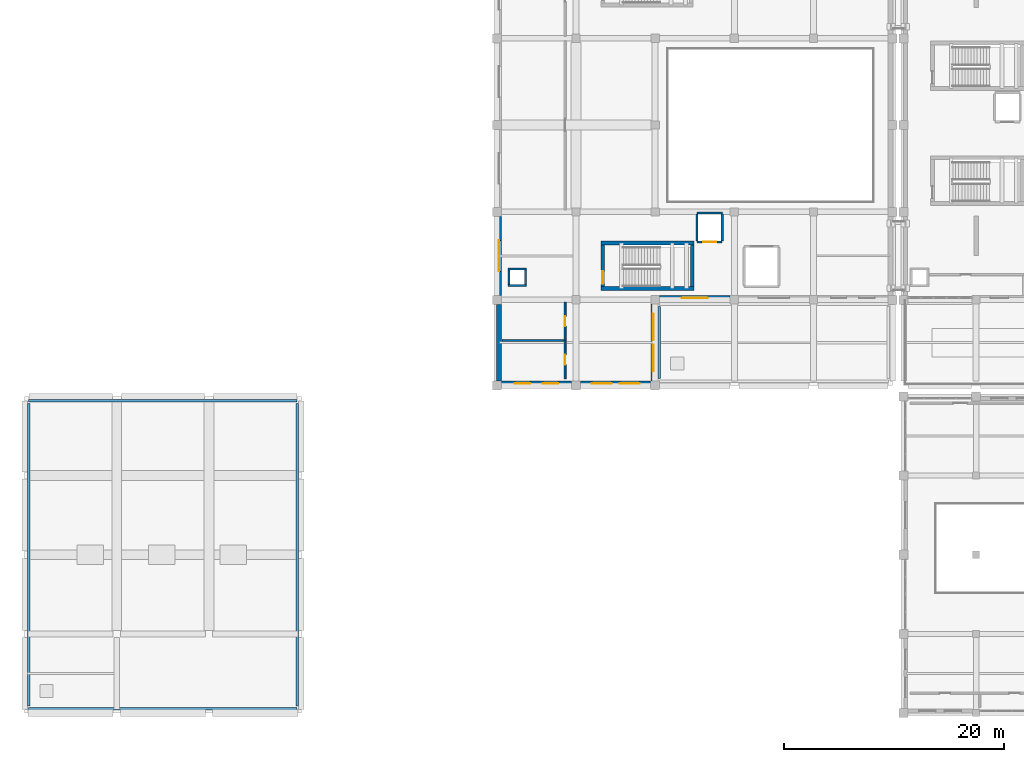
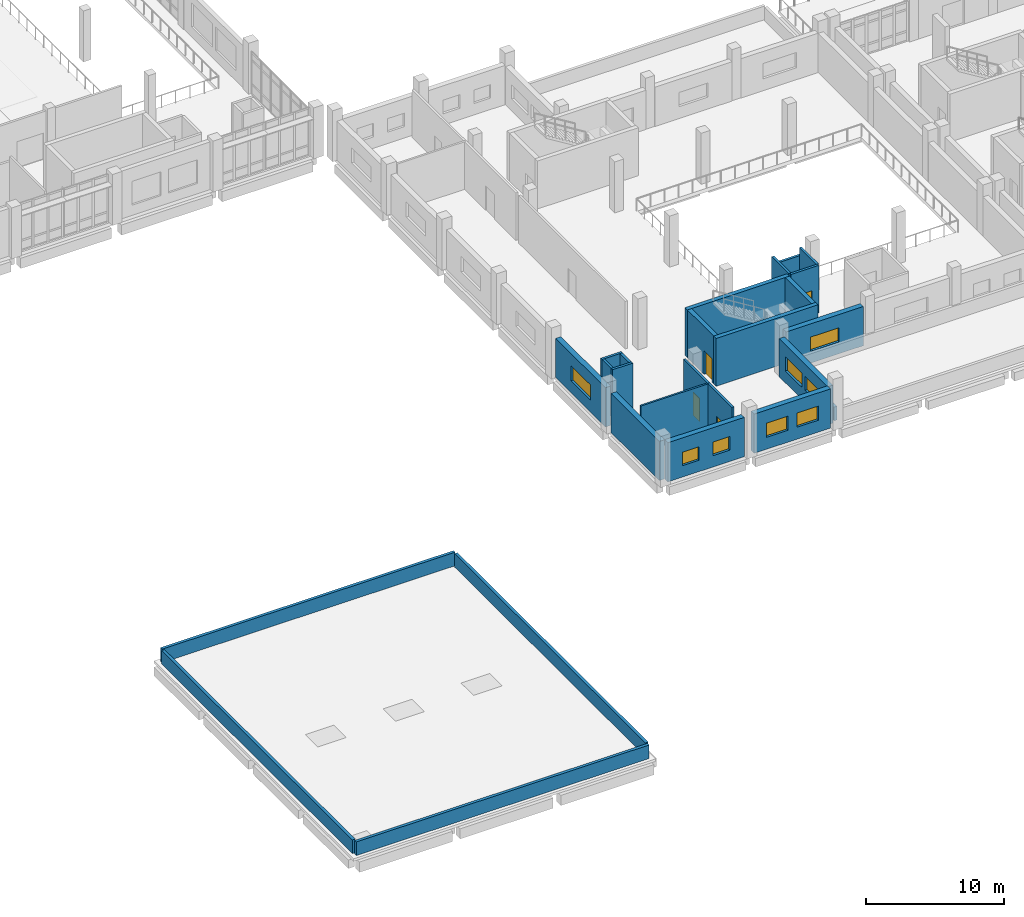
# One storey, part 36 of 54: 26 walls, 8 windows, 4 doors, 12 openings.
"""IFC4 building model written with IfcOpenShell, lengths in metres."""

from ifc_helpers import new_model, si_unit, direction, frame, frame_2d, origin, place, context, subcontext, project, spatial, rectangle, extrude, material, layer, layer_set, type_object, element, fill, save


model = new_model("IFC4")

# Units and contexts
model_context = context("Model", 3, precision=1e-05, world=origin(), true_north=direction((0.0, 1.0)))
body_context = subcontext(model_context, "Body", "Model", "MODEL_VIEW")
ifc_project = project(units=[si_unit("LENGTHUNIT", "METRE"), si_unit("AREAUNIT", "SQUARE_METRE"), si_unit("VOLUMEUNIT", "CUBIC_METRE"), si_unit("PLANEANGLEUNIT", "RADIAN"), si_unit("MASSUNIT", "GRAM", prefix="KILO")], contexts=[model_context])

# Site, building, storey
site_placement = place(None, origin())
site = spatial("IfcSite", under=ifc_project, at=site_placement, CompositionType="ELEMENT")
building_placement = place(site_placement, origin())
building = spatial("IfcBuilding", under=site, at=building_placement, Name="Kelarvand Opera House", CompositionType="ELEMENT")
storey_placement = place(building_placement, frame((0.0, 0.0, 15.0)))
storey = spatial("IfcBuildingStorey", under=building, at=storey_placement, Name="L03", CompositionType="ELEMENT", Elevation=15.0)

# Walls
ifc_material_1 = material(Name="Acoustic double-stud gypsum partition")
ifc_layer_1 = layer(ifc_material_1, 0.14990234375, Name="Acoustic double-stud gypsum partition")
ifc_layer_set_1 = layer_set([ifc_layer_1], Name="Acoustic double-stud gypsum partition")
wall_type_1 = type_object("IfcWallType", Name="Acoustic Room Partition Wall 150", PredefinedType="PARTITIONING", material=ifc_layer_set_1)
wall_1_placement = place(storey_placement, frame((52.5, 42.89990234375, 0.0), z_axis=(0.0, 0.0, 1.0), x_axis=(1.0, 0.0, 0.0)))
element("IfcWall", 1, at=wall_1_placement, inside=storey, type_object=wall_type_1, Name="V2 L03 Partition Wall IW-150 (582)", PredefinedType="PARTITIONING", context=body_context, shape_type="SweptSolid", body=[
    extrude(rectangle(XDim=5.699951171875, YDim=0.14990234375, at=frame_2d((2.85009765625, 0.0))), origin(), (0.0, 0.0, 1.0), 4.19189453125),
])
ifc_material_2 = material(Name="Concrete C35/45", Category="concrete")
ifc_layer_2 = layer(ifc_material_2, 0.239990234375, Name="Concrete C35/45", Category="concrete")
ifc_layer_set_2 = layer_set([ifc_layer_2], Name="Concrete C35/45")
wall_type_2 = type_object("IfcWallType", Name="Capped Travertine Roof Parapet 240", PredefinedType="PARAPET", material=ifc_layer_set_2)
wall_2_placement = place(storey_placement, frame((66.780029296875, 45.97998046875, 0.0), z_axis=(0.0, 0.0, 1.0), x_axis=(0.0, -1.0, 0.0)))
element("IfcWall", 2, at=wall_2_placement, inside=storey, type_object=wall_type_2, Name="V2 Roof Parapet 7", PredefinedType="PARAPET", context=body_context, shape_type="SweptSolid", body=[
    extrude(rectangle(XDim=6.56005859375, YDim=0.239990234375, at=frame_2d((3.280029296875, 0.0))), origin(), (0.0, 0.0, 1.0), 1.199951171875),
])
for number, where, z_axis, x_axis, name in (
    (3, (9.3798828125, 9.3798828125, 0.0), (0.0, 0.0, 1.0), (1.0, 0.0, 0.0), "V4 Roof Parapet 29"),
    (4, (33.820068359375, 37.419921875, 0.0), (0.0, 0.0, 1.0), (-1.0, 0.0, 0.0), "V4 Roof Parapet 30"),
):
    element("IfcWall", number, at=place(storey_placement, frame(where, z_axis=z_axis, x_axis=x_axis)), inside=storey, type_object=wall_type_2, Name=name, PredefinedType="PARAPET", context=body_context, shape_type="SweptSolid", body=[
        extrude(rectangle(XDim=24.440185546875, YDim=0.239990234375, at=frame_2d((12.22021484375, 0.0))), origin(), (0.0, 0.0, 1.0), 1.199951171875),
    ])
for number, where, z_axis, x_axis, name in (
    (5, (9.3798828125, 37.179931640625, 0.0), (0.0, 0.0, 1.0), (0.0, -1.0, 0.0), "V4 Roof Parapet 31"),
    (6, (33.820068359375, 9.6201171875, 0.0), (0.0, 0.0, 1.0), (0.0, 1.0, 0.0), "V4 Roof Parapet 32"),
):
    element("IfcWall", number, at=place(storey_placement, frame(where, z_axis=z_axis, x_axis=x_axis)), inside=storey, type_object=wall_type_2, Name=name, PredefinedType="PARAPET", context=body_context, shape_type="SweptSolid", body=[
        extrude(rectangle(XDim=27.559814453125, YDim=0.239990234375, at=frame_2d((13.77978515625, 0.0))), origin(), (0.0, 0.0, 1.0), 1.199951171875),
    ])
ifc_material_3 = material(Name="Concrete C40/50", Category="concrete")
ifc_layer_3 = layer(ifc_material_3, 0.35009765625, Name="Concrete C40/50", Category="concrete")
ifc_layer_set_3 = layer_set([ifc_layer_3], Name="Concrete C40/50")
wall_type_3 = type_object("IfcWallType", Name="Core Stair and Lift Shear Wall 350", PredefinedType="SHEAR", material=ifc_layer_set_3)
for number, where, z_axis, x_axis, name in (
    (7, (61.449951171875, 47.625, 0.0), (0.0, 0.0, 1.0), (1.0, 0.0, 0.0), "C2 Stair Core Shear Wall S L03"),
    (8, (69.949951171875, 51.77490234375, 0.0), (0.0, 0.0, 1.0), (-1.0, 0.0, 0.0), "C2 Stair Core Shear Wall N L03"),
):
    element("IfcWall", number, at=place(storey_placement, frame(where, z_axis=z_axis, x_axis=x_axis)), inside=storey, type_object=wall_type_3, Name=name, PredefinedType="SHEAR", context=body_context, shape_type="SweptSolid", body=[
        extrude(rectangle(XDim=8.5, YDim=0.35009765625, at=frame_2d((4.25, 0.0))), origin(), (0.0, 0.0, 1.0), 4.219970703125),
    ])

# Wall, opening, door
wall_3_placement = place(storey_placement, frame((61.625, 47.800048828125, 0.0), z_axis=(0.0, 0.0, 1.0), x_axis=(0.0, 1.0, 0.0)))
wall_3 = element("IfcWall", 9, at=wall_3_placement, inside=storey, type_object=wall_type_3, Name="C2 Stair Core Shear Wall W L03", PredefinedType="SHEAR", context=body_context, shape_type="SweptSolid", body=[
    extrude(rectangle(XDim=3.800048828125, YDim=0.35009765625, at=frame_2d((1.89990234375, 0.0))), origin(), (0.0, 0.0, 1.0), 4.219970703125),
])
opening_1_placement = place(wall_3_placement, frame((0.280029296875, 0.0, 0.0)))
opening_1 = element("IfcOpeningElement", 10, at=opening_1_placement, cuts=wall_3, Name="Opening FD-01", PredefinedType="OPENING", context=body_context, shape_type="SweptSolid", body=[
    extrude(rectangle(XDim=1.10009765625, YDim=2.080078125, at=frame_2d((0.550048828125, 1.0400390625))), frame((0.0, 0.18505859375, 0.0), z_axis=(0.0, -1.0, 0.0), x_axis=(1.0, 0.0, 0.0)), (0.0, 0.0, 1.0), 0.3701171875),
])
ifc_material_4 = material(Name="Fire-rated brushed stainless steel", Category="steel")
door_type_1 = type_object("IfcDoorType", Name="Steel Fire-Rated Stair and FF Lobby Door 1100x2080", OperationType="NOTDEFINED", PredefinedType="DOOR", material=ifc_material_4)
door_1_placement = place(opening_1_placement, origin())
door_1 = element("IfcDoor", 11, at=door_1_placement, inside=storey, type_object=door_type_1, Name="C2 Stair ST-02 Fire Door L03", OperationType="SINGLE_SWING_RIGHT", OverallHeight=2.080078125, OverallWidth=1.10009765625, PredefinedType="DOOR", context=body_context, shape_type="SweptSolid", body=[
    extrude(rectangle(XDim=1.10009765625, YDim=2.080078125, at=frame_2d((0.550048828125, 1.0400390625))), frame((0.0, 0.02490234375, 0.0), z_axis=(0.0, -1.0, 0.0), x_axis=(1.0, 0.0, 0.0)), (0.0, 0.0, 1.0), 0.050048828125),
])
fill(opening_1, door_1)

# Wall
wall_4_placement = place(storey_placement, frame((69.77490234375, 51.60009765625, 0.0), z_axis=(0.0, 0.0, 1.0), x_axis=(0.0, -1.0, 0.0)))
element("IfcWall", 12, at=wall_4_placement, inside=storey, type_object=wall_type_3, Name="C2 Stair Core Shear Wall E L03", PredefinedType="SHEAR", context=body_context, shape_type="SweptSolid", body=[
    extrude(rectangle(XDim=3.800048828125, YDim=0.35009765625, at=frame_2d((1.89990234375, 0.0))), origin(), (0.0, 0.0, 1.0), 4.219970703125),
])

# Wall, opening, door
ifc_layer_4 = layer(ifc_material_2, 0.179931640625, Name="Concrete C35/45", Category="concrete")
ifc_layer_set_4 = layer_set([ifc_layer_4], Name="Concrete C35/45")
wall_type_4 = type_object("IfcWallType", Name="Corridor Fire-Rated Partition Wall 180 EI90", PredefinedType="PARTITIONING", material=ifc_layer_set_4)
wall_5_placement = place(storey_placement, frame((58.199951171875, 39.39990234375, 0.0), z_axis=(0.0, 0.0, 1.0), x_axis=(0.0, 1.0, 0.0)))
wall_5 = element("IfcWall", 13, at=wall_5_placement, inside=storey, type_object=wall_type_4, Name="V2 L03 Partition Wall IW-90 (581)", PredefinedType="PARTITIONING", context=body_context, shape_type="SweptSolid", body=[
    extrude(rectangle(XDim=3.5, YDim=0.179931640625, at=frame_2d((1.75, 0.0))), origin(), (0.0, 0.0, 1.0), 4.19189453125),
])
opening_2_placement = place(wall_5_placement, frame((1.2900390625, 0.0, 0.0)))
opening_2 = element("IfcOpeningElement", 14, at=opening_2_placement, cuts=wall_5, Name="Opening D-01", PredefinedType="OPENING", context=body_context, shape_type="SweptSolid", body=[
    extrude(rectangle(XDim=0.919921875, YDim=2.050048828125, at=frame_2d((0.4599609375, 1.02490234375))), frame((0.0, 0.10009765625, 0.0), z_axis=(0.0, -1.0, 0.0), x_axis=(1.0, 0.0, 0.0)), (0.0, 0.0, 1.0), 0.199951171875),
])
ifc_material_5 = material(Name="Acoustic walnut-veneered hardwood", Category="wood")
door_type_2 = type_object("IfcDoorType", Name="Solid Timber Dressing and WC Door 920x2050", OperationType="NOTDEFINED", PredefinedType="DOOR", material=ifc_material_5)
door_2_placement = place(opening_2_placement, origin())
door_2 = element("IfcDoor", 15, at=door_2_placement, inside=storey, type_object=door_type_2, Name="V2 L03 Door D-01 (260)", OperationType="SINGLE_SWING_RIGHT", OverallHeight=2.050048828125, OverallWidth=0.919921875, PredefinedType="DOOR", context=body_context, shape_type="SweptSolid", body=[
    extrude(rectangle(XDim=0.919921875, YDim=2.050048828125, at=frame_2d((0.4599609375, 1.02490234375))), frame((0.0, 0.02490234375, 0.0), z_axis=(0.0, -1.0, 0.0), x_axis=(1.0, 0.0, 0.0)), (0.0, 0.0, 1.0), 0.050048828125),
])
fill(opening_2, door_2)

wall_6_placement = place(storey_placement, frame((58.199951171875, 42.89990234375, 0.0), z_axis=(0.0, 0.0, 1.0), x_axis=(0.0, 1.0, 0.0)))
wall_6 = element("IfcWall", 16, at=wall_6_placement, inside=storey, type_object=wall_type_4, Name="V2 L03 Partition Wall IW-90 (583)", PredefinedType="PARTITIONING", context=body_context, shape_type="SweptSolid", body=[
    extrude(rectangle(XDim=3.5, YDim=0.179931640625, at=frame_2d((1.75, 0.0))), origin(), (0.0, 0.0, 1.0), 4.19189453125),
])
opening_3_placement = place(wall_6_placement, frame((1.2900390625, 0.0, 0.0)))
opening_3 = element("IfcOpeningElement", 17, at=opening_3_placement, cuts=wall_6, Name="Opening D-01", PredefinedType="OPENING", context=body_context, shape_type="SweptSolid", body=[
    extrude(rectangle(XDim=0.919921875, YDim=2.050048828125, at=frame_2d((0.4599609375, 1.02490234375))), frame((0.0, 0.10009765625, 0.0), z_axis=(0.0, -1.0, 0.0), x_axis=(1.0, 0.0, 0.0)), (0.0, 0.0, 1.0), 0.199951171875),
])
door_3_placement = place(opening_3_placement, origin())
door_3 = element("IfcDoor", 18, at=door_3_placement, inside=storey, type_object=door_type_2, Name="V2 L03 Door D-01 (261)", OperationType="SINGLE_SWING_LEFT", OverallHeight=2.050048828125, OverallWidth=0.919921875, PredefinedType="DOOR", context=body_context, shape_type="SweptSolid", body=[
    extrude(rectangle(XDim=0.919921875, YDim=2.050048828125, at=frame_2d((0.4599609375, 1.02490234375))), frame((0.0, 0.02490234375, 0.0), z_axis=(0.0, -1.0, 0.0), x_axis=(1.0, 0.0, 0.0)), (0.0, 0.0, 1.0), 0.050048828125),
])
fill(opening_3, door_3)

# Walls
ifc_layer_5 = layer(ifc_material_2, 0.199951171875, Name="Concrete C35/45", Category="concrete")
ifc_layer_set_5 = layer_set([ifc_layer_5], Name="Concrete C35/45")
wall_type_5 = type_object("IfcWallType", Name="Lift and Riser Shaft Enclosure Wall 200 EI120", PredefinedType="PARTITIONING", material=ifc_layer_set_5)
for number, where, z_axis, x_axis, name in (
    (19, (53.0, 47.89990234375, 0.0), (0.0, 0.0, 1.0), (1.0, 0.0, 0.0), "RSR-V2 L03 Riser Shaft Wall 49"),
    (20, (54.699951171875, 49.39990234375, 0.0), (0.0, 0.0, 1.0), (-1.0, 0.0, 0.0), "RSR-V2 L03 Riser Shaft Wall 50"),
):
    element("IfcWall", number, at=place(storey_placement, frame(where, z_axis=z_axis, x_axis=x_axis)), inside=storey, type_object=wall_type_5, Name=name, PredefinedType="PARTITIONING", context=body_context, shape_type="SweptSolid", body=[
        extrude(rectangle(XDim=1.699951171875, YDim=0.199951171875, at=frame_2d((0.85009765625, 0.0))), origin(), (0.0, 0.0, 1.0), 4.199951171875),
    ])
for number, where, z_axis, x_axis, name in (
    (21, (53.10009765625, 48.0, 0.0), (0.0, 0.0, 1.0), (0.0, 1.0, 0.0), "RSR-V2 L03 Riser Shaft Wall 51"),
    (22, (54.60009765625, 49.300048828125, 0.0), (0.0, 0.0, 1.0), (0.0, -1.0, 0.0), "RSR-V2 L03 Riser Shaft Wall 52"),
):
    element("IfcWall", number, at=place(storey_placement, frame(where, z_axis=z_axis, x_axis=x_axis)), inside=storey, type_object=wall_type_5, Name=name, PredefinedType="PARTITIONING", context=body_context, shape_type="SweptSolid", body=[
        extrude(rectangle(XDim=1.300048828125, YDim=0.199951171875, at=frame_2d((0.64990234375, 0.0))), origin(), (0.0, 0.0, 1.0), 4.199951171875),
    ])

# Wall, opening, door
wall_7_placement = place(storey_placement, frame((70.199951171875, 51.85009765625, 0.0), z_axis=(0.0, 0.0, 1.0), x_axis=(1.0, 0.0, 0.0)))
wall_7 = element("IfcWall", 23, at=wall_7_placement, inside=storey, type_object=wall_type_5, Name="V2 L03 Partition Wall SW-200 (557)", PredefinedType="PARTITIONING", context=body_context, shape_type="SweptSolid", body=[
    extrude(rectangle(XDim=2.300048828125, YDim=0.199951171875, at=frame_2d((1.14990234375, 0.0))), origin(), (0.0, 0.0, 1.0), 4.19189453125),
])
opening_4_placement = place(wall_7_placement, frame((0.550048828125, 0.0, 0.0)))
opening_4 = element("IfcOpeningElement", 24, at=opening_4_placement, cuts=wall_7, Name="Opening LD-02", PredefinedType="OPENING", context=body_context, shape_type="SweptSolid", body=[
    extrude(rectangle(XDim=1.199951171875, YDim=2.14990234375, at=frame_2d((0.60009765625, 1.074951171875))), frame((0.0, 0.10986328125, 0.0), z_axis=(0.0, -1.0, 0.0), x_axis=(1.0, 0.0, 0.0)), (0.0, 0.0, 1.0), 0.219970703125),
])
door_type_3 = type_object("IfcDoorType", Name="Firefighting Lift Sliding Landing Door 1200x2150", OperationType="SLIDING_TO_LEFT", PredefinedType="DOOR", material=ifc_material_4)
door_4_placement = place(opening_4_placement, origin())
door_4 = element("IfcDoor", 25, at=door_4_placement, inside=storey, type_object=door_type_3, Name="V2 L03 Door LD-02 (250)", OperationType="SLIDING_TO_LEFT", OverallHeight=2.14990234375, OverallWidth=1.199951171875, PredefinedType="DOOR", context=body_context, shape_type="SweptSolid", body=[
    extrude(rectangle(XDim=1.199951171875, YDim=2.14990234375, at=frame_2d((0.60009765625, 1.074951171875))), frame((0.0, 0.02490234375, 0.0), z_axis=(0.0, -1.0, 0.0), x_axis=(1.0, 0.0, 0.0)), (0.0, 0.0, 1.0), 0.050048828125),
])
fill(opening_4, door_4)

# Walls
wall_8_placement = place(storey_placement, frame((72.5, 54.5, 0.0), z_axis=(0.0, 0.0, 1.0), x_axis=(-1.0, 0.0, 0.0)))
element("IfcWall", 26, at=wall_8_placement, inside=storey, type_object=wall_type_5, Name="V2 L03 Partition Wall SW-200 (558)", PredefinedType="PARTITIONING", context=body_context, shape_type="SweptSolid", body=[
    extrude(rectangle(XDim=2.300048828125, YDim=0.199951171875, at=frame_2d((1.14990234375, 0.0))), origin(), (0.0, 0.0, 1.0), 3.4619140625),
])
for number, where, z_axis, x_axis, name in (
    (27, (70.199951171875, 51.949951171875, 0.0), (0.0, 0.0, 1.0), (0.0, 1.0, 0.0), "V2 L03 Partition Wall SW-200 (559)"),
    (28, (72.5, 54.39990234375, 0.0), (0.0, 0.0, 1.0), (0.0, -1.0, 0.0), "V2 L03 Partition Wall SW-200 (560)"),
):
    element("IfcWall", number, at=place(storey_placement, frame(where, z_axis=z_axis, x_axis=x_axis)), inside=storey, type_object=wall_type_5, Name=name, PredefinedType="PARTITIONING", context=body_context, shape_type="SweptSolid", body=[
        extrude(rectangle(XDim=2.449951171875, YDim=0.199951171875, at=frame_2d((1.22509765625, 0.0))), origin(), (0.0, 0.0, 1.0), 4.19189453125),
    ])

# Wall, openings, windows
ifc_layer_6 = layer(ifc_material_2, 0.43994140625, Name="Concrete C35/45", Category="concrete")
ifc_layer_set_6 = layer_set([ifc_layer_6], Name="Concrete C35/45")
wall_type_6 = type_object("IfcWallType", Name="Stage House Acoustic Cavity Wall 440", PredefinedType="SOLIDWALL", material=ifc_layer_set_6)
wall_9_placement = place(storey_placement, frame((65.989990234375, 38.97998046875, 0.0), z_axis=(0.0, 0.0, 1.0), x_axis=(-1.0, 0.0, 0.0)))
wall_9 = element("IfcWall", 29, at=wall_9_placement, inside=storey, type_object=wall_type_6, Name="V2 L03 Exterior Wall EW-440 (280)", PredefinedType="SOLIDWALL", context=body_context, shape_type="SweptSolid", body=[
    extrude(rectangle(XDim=6.3798828125, YDim=0.43994140625, at=frame_2d((3.18994140625, 0.0))), origin(), (0.0, 0.0, 1.0), 3.4619140625),
])
opening_5_placement = place(wall_9_placement, frame((1.013916015625, 0.0, 1.050048828125)))
opening_5 = element("IfcOpeningElement", 30, at=opening_5_placement, cuts=wall_9, Name="Opening WN-23", PredefinedType="OPENING", context=body_context, shape_type="SweptSolid", body=[
    extrude(rectangle(XDim=1.800048828125, YDim=1.25, at=frame_2d((0.89990234375, 0.625))), frame((0.0, 0.22998046875, 0.0), z_axis=(0.0, -1.0, 0.0), x_axis=(1.0, 0.0, 0.0)), (0.0, 0.0, 1.0), 0.4599609375),
])
opening_6_placement = place(wall_9_placement, frame((3.56591796875, 0.0, 1.050048828125)))
opening_6 = element("IfcOpeningElement", 31, at=opening_6_placement, cuts=wall_9, Name="Opening WN-23", PredefinedType="OPENING", context=body_context, shape_type="SweptSolid", body=[
    extrude(rectangle(XDim=1.800048828125, YDim=1.25, at=frame_2d((0.89990234375, 0.625))), frame((0.0, 0.22998046875, 0.0), z_axis=(0.0, -1.0, 0.0), x_axis=(1.0, 0.0, 0.0)), (0.0, 0.0, 1.0), 0.4599609375),
])
ifc_material_6 = material(Name="Thermally broken aluminium and low-E double glazing", Category="aluminium")
window_type_1 = type_object("IfcWindowType", Name="Recessed Aluminium Thermal Window 1800x1250 WN-23", PartitioningType="SINGLE_PANEL", PredefinedType="WINDOW", material=ifc_material_6)
window_1_placement = place(opening_5_placement, origin())
window_1 = element("IfcWindow", 32, at=window_1_placement, inside=storey, type_object=window_type_1, Name="V2 L03 Facade Window WN-23 (65)", OverallHeight=1.25, OverallWidth=1.800048828125, PartitioningType="SINGLE_PANEL", PredefinedType="WINDOW", context=body_context, shape_type="SweptSolid", body=[
    extrude(rectangle(XDim=1.800048828125, YDim=1.25, at=frame_2d((0.89990234375, 0.625))), frame((0.0, 0.030029296875, 0.0), z_axis=(0.0, -1.0, 0.0), x_axis=(1.0, 0.0, 0.0)), (0.0, 0.0, 1.0), 0.06005859375),
])
fill(opening_5, window_1)
window_2_placement = place(opening_6_placement, origin())
window_2 = element("IfcWindow", 33, at=window_2_placement, inside=storey, type_object=window_type_1, Name="V2 L03 Facade Window WN-23 (66)", OverallHeight=1.25, OverallWidth=1.800048828125, PartitioningType="SINGLE_PANEL", PredefinedType="WINDOW", context=body_context, shape_type="SweptSolid", body=[
    extrude(rectangle(XDim=1.800048828125, YDim=1.25, at=frame_2d((0.89990234375, 0.625))), frame((0.0, 0.030029296875, 0.0), z_axis=(0.0, -1.0, 0.0), x_axis=(1.0, 0.0, 0.0)), (0.0, 0.0, 1.0), 0.06005859375),
])
fill(opening_6, window_2)

wall_10_placement = place(storey_placement, frame((58.7900390625, 38.97998046875, 0.0), z_axis=(0.0, 0.0, 1.0), x_axis=(-1.0, 0.0, 0.0)))
wall_10 = element("IfcWall", 34, at=wall_10_placement, inside=storey, type_object=wall_type_6, Name="V2 L03 Exterior Wall EW-440 (281)", PredefinedType="SOLIDWALL", context=body_context, shape_type="SweptSolid", body=[
    extrude(rectangle(XDim=6.380126953125, YDim=0.43994140625, at=frame_2d((3.18994140625, 0.0))), origin(), (0.0, 0.0, 1.0), 3.4619140625),
])
opening_7_placement = place(wall_10_placement, frame((1.214111328125, 0.0, 1.0)))
opening_7 = element("IfcOpeningElement", 35, at=opening_7_placement, cuts=wall_10, Name="Opening WN-24", PredefinedType="OPENING", context=body_context, shape_type="SweptSolid", body=[
    extrude(rectangle(XDim=1.39990234375, YDim=1.199951171875, at=frame_2d((0.699951171875, 0.60009765625))), frame((0.0, 0.22998046875, 0.0), z_axis=(0.0, -1.0, 0.0), x_axis=(1.0, 0.0, 0.0)), (0.0, 0.0, 1.0), 0.4599609375),
])
opening_8_placement = place(wall_10_placement, frame((3.76611328125, 0.0, 1.0)))
opening_8 = element("IfcOpeningElement", 36, at=opening_8_placement, cuts=wall_10, Name="Opening WN-24", PredefinedType="OPENING", context=body_context, shape_type="SweptSolid", body=[
    extrude(rectangle(XDim=1.39990234375, YDim=1.199951171875, at=frame_2d((0.699951171875, 0.60009765625))), frame((0.0, 0.22998046875, 0.0), z_axis=(0.0, -1.0, 0.0), x_axis=(1.0, 0.0, 0.0)), (0.0, 0.0, 1.0), 0.4599609375),
])
window_type_2 = type_object("IfcWindowType", Name="Recessed Aluminium Thermal Window 1400x1200 WN-24", PartitioningType="SINGLE_PANEL", PredefinedType="WINDOW", material=ifc_material_6)
window_3_placement = place(opening_7_placement, origin())
window_3 = element("IfcWindow", 37, at=window_3_placement, inside=storey, type_object=window_type_2, Name="V2 L03 Facade Window WN-24 (67)", OverallHeight=1.199951171875, OverallWidth=1.39990234375, PartitioningType="SINGLE_PANEL", PredefinedType="WINDOW", context=body_context, shape_type="SweptSolid", body=[
    extrude(rectangle(XDim=1.39990234375, YDim=1.199951171875, at=frame_2d((0.699951171875, 0.60009765625))), frame((0.0, 0.030029296875, 0.0), z_axis=(0.0, -1.0, 0.0), x_axis=(1.0, 0.0, 0.0)), (0.0, 0.0, 1.0), 0.06005859375),
])
fill(opening_7, window_3)
window_4_placement = place(opening_8_placement, origin())
window_4 = element("IfcWindow", 38, at=window_4_placement, inside=storey, type_object=window_type_2, Name="V2 L03 Facade Window WN-24 (68)", OverallHeight=1.199951171875, OverallWidth=1.39990234375, PartitioningType="SINGLE_PANEL", PredefinedType="WINDOW", context=body_context, shape_type="SweptSolid", body=[
    extrude(rectangle(XDim=1.39990234375, YDim=1.199951171875, at=frame_2d((0.699951171875, 0.60009765625))), frame((0.0, 0.030029296875, 0.0), z_axis=(0.0, -1.0, 0.0), x_axis=(1.0, 0.0, 0.0)), (0.0, 0.0, 1.0), 0.06005859375),
])
fill(opening_8, window_4)

# Wall
wall_11_placement = place(storey_placement, frame((52.179931640625, 39.2099609375, 0.0), z_axis=(0.0, 0.0, 1.0), x_axis=(0.0, 1.0, 0.0)))
element("IfcWall", 39, at=wall_11_placement, inside=storey, type_object=wall_type_6, Name="V2 L03 Exterior Wall EW-440 (282)", PredefinedType="SOLIDWALL", context=body_context, shape_type="SweptSolid", body=[
    extrude(rectangle(XDim=6.97998046875, YDim=0.43994140625, at=frame_2d((3.489990234375, 0.0))), origin(), (0.0, 0.0, 1.0), 3.4619140625),
])

# Wall, opening, window
wall_12_placement = place(storey_placement, frame((52.179931640625, 47.010009765625, 0.0), z_axis=(0.0, 0.0, 1.0), x_axis=(0.0, 1.0, 0.0)))
wall_12 = element("IfcWall", 40, at=wall_12_placement, inside=storey, type_object=wall_type_6, Name="V2 L03 Exterior Wall EW-440 (283)", PredefinedType="SOLIDWALL", context=body_context, shape_type="SweptSolid", body=[
    extrude(rectangle(XDim=7.179931640625, YDim=0.43994140625, at=frame_2d((3.58984375, 0.0))), origin(), (0.0, 0.0, 1.0), 3.4619140625),
])
opening_9_placement = place(wall_12_placement, frame((2.18994140625, 0.0, 1.050048828125)))
opening_9 = element("IfcOpeningElement", 41, at=opening_9_placement, cuts=wall_12, Name="Opening WN-21", PredefinedType="OPENING", context=body_context, shape_type="SweptSolid", body=[
    extrude(rectangle(XDim=2.800048828125, YDim=1.35009765625, at=frame_2d((1.39990234375, 0.675048828125))), frame((0.0, 0.22998046875, 0.0), z_axis=(0.0, -1.0, 0.0), x_axis=(1.0, 0.0, 0.0)), (0.0, 0.0, 1.0), 0.4599609375),
])
window_type_3 = type_object("IfcWindowType", Name="Recessed Aluminium Thermal Window 2800x1350 WN-21", PartitioningType="SINGLE_PANEL", PredefinedType="WINDOW", material=ifc_material_6)
window_5_placement = place(opening_9_placement, origin())
window_5 = element("IfcWindow", 42, at=window_5_placement, inside=storey, type_object=window_type_3, Name="V2 L03 Facade Window WN-21 (69)", OverallHeight=1.35009765625, OverallWidth=2.800048828125, PartitioningType="SINGLE_PANEL", PredefinedType="WINDOW", context=body_context, shape_type="SweptSolid", body=[
    extrude(rectangle(XDim=2.800048828125, YDim=1.35009765625, at=frame_2d((1.39990234375, 0.675048828125))), frame((0.0, 0.030029296875, 0.0), z_axis=(0.0, -1.0, 0.0), x_axis=(1.0, 0.0, 0.0)), (0.0, 0.0, 1.0), 0.06005859375),
])
fill(opening_9, window_5)

wall_13_placement = place(storey_placement, frame((73.22509765625, 46.780029296875, 0.0), z_axis=(0.0, 0.0, 1.0), x_axis=(-1.0, 0.0, 0.0)))
wall_13 = element("IfcWall", 43, at=wall_13_placement, inside=storey, type_object=wall_type_6, Name="V2 L03 Exterior Wall EW-440 (300)", PredefinedType="SOLIDWALL", context=body_context, shape_type="SweptSolid", body=[
    extrude(rectangle(XDim=6.4501953125, YDim=0.43994140625, at=frame_2d((3.22509765625, 0.0))), origin(), (0.0, 0.0, 1.0), 3.4619140625),
])
opening_10_placement = place(wall_13_placement, frame((2.02490234375, 0.0, 1.050048828125)))
opening_10 = element("IfcOpeningElement", 44, at=opening_10_placement, cuts=wall_13, Name="Opening WN-22", PredefinedType="OPENING", context=body_context, shape_type="SweptSolid", body=[
    extrude(rectangle(XDim=2.39990234375, YDim=1.25, at=frame_2d((1.199951171875, 0.625))), frame((0.0, 0.22998046875, 0.0), z_axis=(0.0, -1.0, 0.0), x_axis=(1.0, 0.0, 0.0)), (0.0, 0.0, 1.0), 0.4599609375),
])
window_type_4 = type_object("IfcWindowType", Name="Recessed Aluminium Thermal Window 2400x1250 WN-22", PartitioningType="SINGLE_PANEL", PredefinedType="WINDOW", material=ifc_material_6)
window_6_placement = place(opening_10_placement, origin())
window_6 = element("IfcWindow", 45, at=window_6_placement, inside=storey, type_object=window_type_4, Name="V2 L03 Facade Window WN-22 (87)", OverallHeight=1.25, OverallWidth=2.39990234375, PartitioningType="SINGLE_PANEL", PredefinedType="WINDOW", context=body_context, shape_type="SweptSolid", body=[
    extrude(rectangle(XDim=2.39990234375, YDim=1.25, at=frame_2d((1.199951171875, 0.625))), frame((0.0, 0.030029296875, 0.0), z_axis=(0.0, -1.0, 0.0), x_axis=(1.0, 0.0, 0.0)), (0.0, 0.0, 1.0), 0.06005859375),
])
fill(opening_10, window_6)

# Wall, openings, windows
wall_14_placement = place(storey_placement, frame((66.219970703125, 46.22509765625, 0.0), z_axis=(0.0, 0.0, 1.0), x_axis=(0.0, -1.0, 0.0)))
wall_14 = element("IfcWall", 46, at=wall_14_placement, inside=storey, type_object=wall_type_6, Name="V2 L03 Exterior Wall EW-440 (301)", PredefinedType="SOLIDWALL", context=body_context, shape_type="SweptSolid", body=[
    extrude(rectangle(XDim=7.01513671875, YDim=0.43994140625, at=frame_2d((3.507568359375, 0.0))), origin(), (0.0, 0.0, 1.0), 3.362060546875),
])
opening_11_placement = place(wall_14_placement, frame((0.905029296875, 0.0, 1.050048828125)))
opening_11 = element("IfcOpeningElement", 47, at=opening_11_placement, cuts=wall_14, Name="Opening WN-22", PredefinedType="OPENING", context=body_context, shape_type="SweptSolid", body=[
    extrude(rectangle(XDim=2.39990234375, YDim=1.25, at=frame_2d((1.199951171875, 0.625))), frame((0.0, 0.22998046875, 0.0), z_axis=(0.0, -1.0, 0.0), x_axis=(1.0, 0.0, 0.0)), (0.0, 0.0, 1.0), 0.4599609375),
])
opening_12_placement = place(wall_14_placement, frame((3.7099609375, 0.0, 1.050048828125)))
opening_12 = element("IfcOpeningElement", 48, at=opening_12_placement, cuts=wall_14, Name="Opening WN-22", PredefinedType="OPENING", context=body_context, shape_type="SweptSolid", body=[
    extrude(rectangle(XDim=2.39990234375, YDim=1.25, at=frame_2d((1.199951171875, 0.625))), frame((0.0, 0.22998046875, 0.0), z_axis=(0.0, -1.0, 0.0), x_axis=(1.0, 0.0, 0.0)), (0.0, 0.0, 1.0), 0.4599609375),
])
window_7_placement = place(opening_11_placement, origin())
window_7 = element("IfcWindow", 49, at=window_7_placement, inside=storey, type_object=window_type_4, Name="V2 L03 Facade Window WN-22 (88)", OverallHeight=1.25, OverallWidth=2.39990234375, PartitioningType="SINGLE_PANEL", PredefinedType="WINDOW", context=body_context, shape_type="SweptSolid", body=[
    extrude(rectangle(XDim=2.39990234375, YDim=1.25, at=frame_2d((1.199951171875, 0.625))), frame((0.0, 0.030029296875, 0.0), z_axis=(0.0, -1.0, 0.0), x_axis=(1.0, 0.0, 0.0)), (0.0, 0.0, 1.0), 0.06005859375),
])
fill(opening_11, window_7)
window_8_placement = place(opening_12_placement, origin())
window_8 = element("IfcWindow", 50, at=window_8_placement, inside=storey, type_object=window_type_4, Name="V2 L03 Facade Window WN-22 (89)", OverallHeight=1.25, OverallWidth=2.39990234375, PartitioningType="SINGLE_PANEL", PredefinedType="WINDOW", context=body_context, shape_type="SweptSolid", body=[
    extrude(rectangle(XDim=2.39990234375, YDim=1.25, at=frame_2d((1.199951171875, 0.625))), frame((0.0, 0.030029296875, 0.0), z_axis=(0.0, -1.0, 0.0), x_axis=(1.0, 0.0, 0.0)), (0.0, 0.0, 1.0), 0.06005859375),
])
fill(opening_12, window_8)

save(model, "model.ifc")
